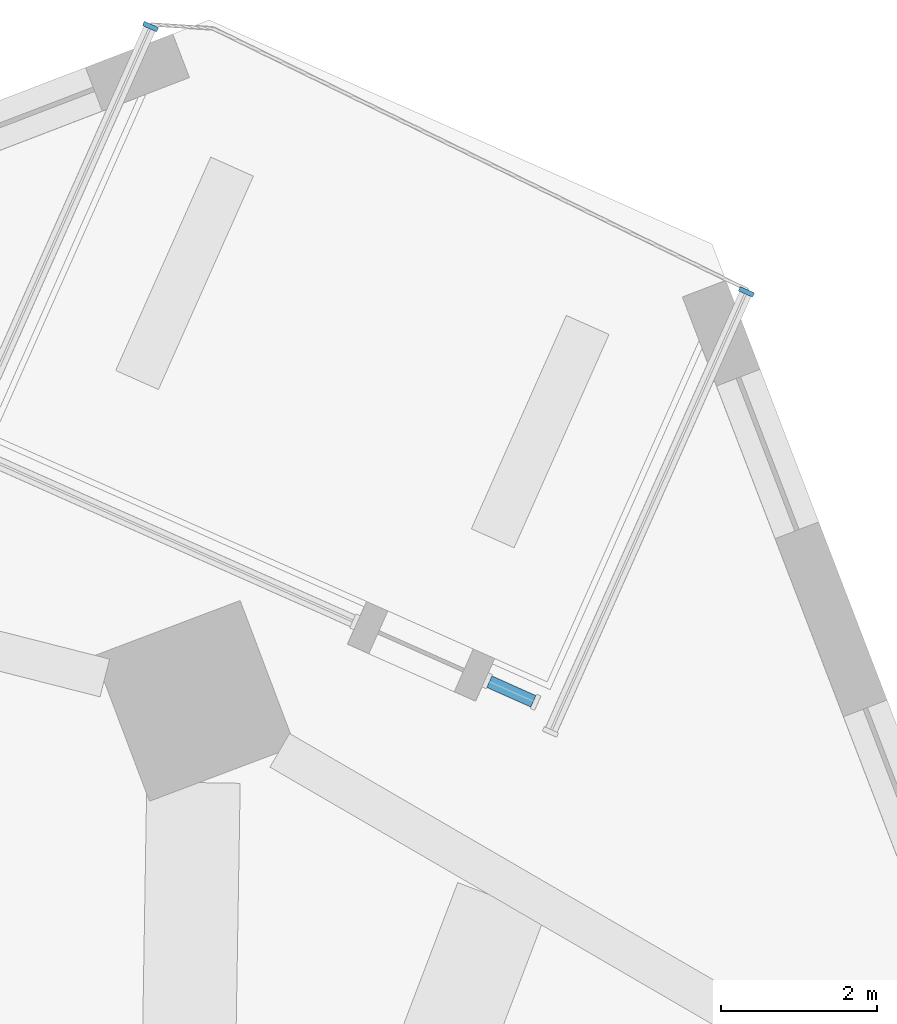
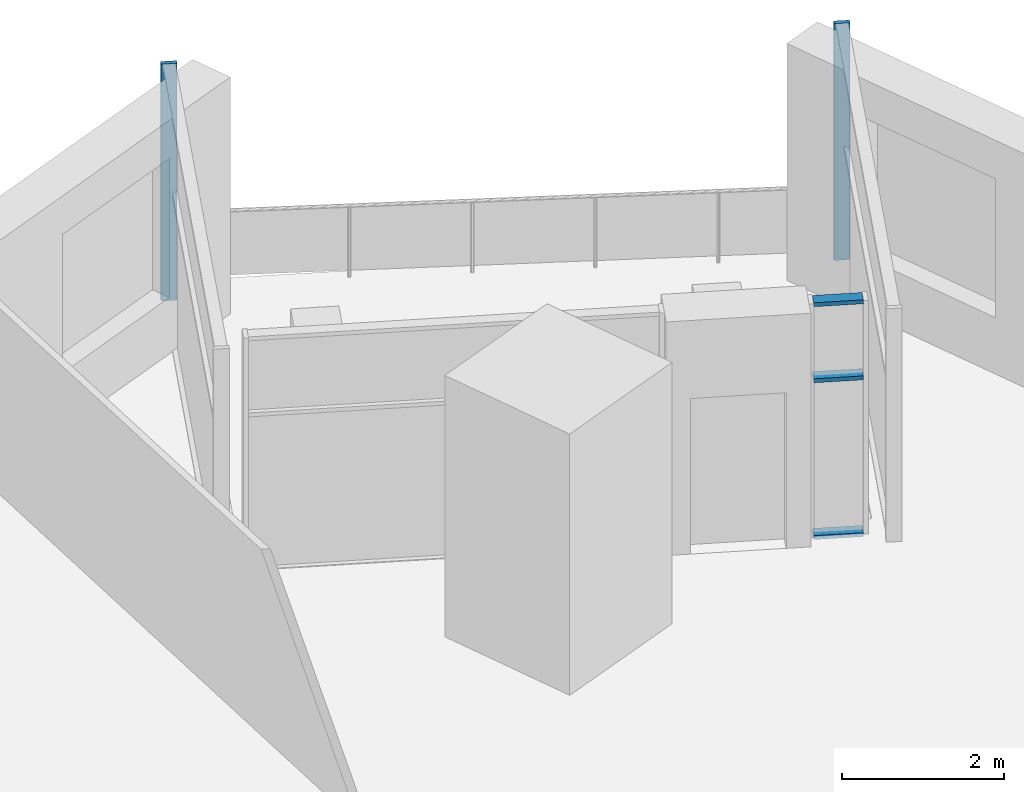
# One storey, part 4 of 14: 5 members, 3 elements without a shape of their own.
"""IFC4 building model written with IfcOpenShell, lengths in metres."""

from ifc_helpers import new_model, si_unit, direction, frame, origin, origin_2d, place, context, subcontext, project, spatial, rectangle, extrude, material, material_profile, profile_set, type_object, element, aggregate, save


model = new_model("IFC4")

# Units and contexts
model_context = context("Model", 3, precision=1e-05, world=origin(), true_north=direction((0.0, 1.0)))
body_context = subcontext(model_context, "Body", "Model", "MODEL_VIEW")
ifc_project = project(units=[si_unit("LENGTHUNIT", "METRE"), si_unit("AREAUNIT", "SQUARE_METRE"), si_unit("VOLUMEUNIT", "CUBIC_METRE"), si_unit("PLANEANGLEUNIT", "RADIAN"), si_unit("MASSUNIT", "GRAM", prefix="KILO")], contexts=[model_context])

# Site, building, storey
site_placement = place(None, origin())
site = spatial("IfcSite", under=ifc_project, at=site_placement, CompositionType="ELEMENT")
building_placement = place(site_placement, origin())
building = spatial("IfcBuilding", under=site, at=building_placement, Name="Dilmun Exchange Tower", CompositionType="ELEMENT")
storey_placement = place(building_placement, frame((0.0, 0.0, 102.10009765625)))
storey = spatial("IfcBuildingStorey", under=building, at=storey_placement, Name="L23", CompositionType="ELEMENT", Elevation=102.10009765625)

# Curtain wall, member
ifc_material_1 = material(Name="Anodised aluminium and clear glass", Category="aluminium")
curtain_wall_type = type_object("IfcCurtainWallType", Name="Garden corner glazing", PredefinedType="NOTDEFINED", material=ifc_material_1)
curtain_wall_1_placement = place(storey_placement, origin())
curtain_wall_1 = element("IfcCurtainWall", 1, at=curtain_wall_1_placement, inside=storey, type_object=curtain_wall_type, Name="Garden corner glazing run GC1.1", PredefinedType="NOTDEFINED")
ifc_material_2 = material(Name="Anodised aluminium", Category="aluminium")
ifc_material_profile_1 = material_profile(ifc_material_2, rectangle(XDim=0.199951171875, YDim=0.06005859375, at=origin_2d()), Name="AL 60x200")
ifc_profile_set_1 = profile_set([ifc_material_profile_1], Name="Anodised aluminium")
member_type_1 = type_object("IfcMemberType", Name="Garden corner glazing mullion 60 x 200", PredefinedType="MULLION", material=ifc_profile_set_1)
member_1_placement = place(storey_placement, frame((20.2060546875, 31.607177734375, 0.0), z_axis=(0.0, 0.0, 1.0), x_axis=(0.913542660018, -0.406742926585, 0.0)))
member_1 = element("IfcMember", 2, at=member_1_placement, type_object=member_type_1, Name="GC1.1 mullion 1", PredefinedType="MULLION", context=body_context, shape_type="SweptSolid", body=[
    extrude(rectangle(XDim=0.199951171875, YDim=0.06005859375, at=origin_2d()), origin(), (0.0, 0.0, 1.0), 3.579833984375),
])
aggregate(curtain_wall_1, [member_1])

curtain_wall_2_placement = place(storey_placement, origin())
curtain_wall_2 = element("IfcCurtainWall", 3, at=curtain_wall_2_placement, inside=storey, type_object=curtain_wall_type, Name="Garden corner glazing run GC3.1", PredefinedType="NOTDEFINED")
member_2_placement = place(storey_placement, frame((12.55224609375, 35.014892578125, 0.0), z_axis=(0.0, 0.0, 1.0), x_axis=(-0.913542660018, 0.406742926585, 0.0)))
member_2 = element("IfcMember", 4, at=member_2_placement, type_object=member_type_1, Name="GC3.1 mullion 2", PredefinedType="MULLION", context=body_context, shape_type="SweptSolid", body=[
    extrude(rectangle(XDim=0.199951171875, YDim=0.06005859375, at=origin_2d()), origin(), (0.0, 0.0, 1.0), 3.579833984375),
])
aggregate(curtain_wall_2, [member_2])

# Curtain wall, members
curtain_wall_3_placement = place(storey_placement, origin())
curtain_wall_3 = element("IfcCurtainWall", 5, at=curtain_wall_3_placement, inside=storey, type_object=curtain_wall_type, Name="Garden corner glazing run GC2.1", PredefinedType="NOTDEFINED")
ifc_material_profile_2 = material_profile(ifc_material_2, rectangle(XDim=0.159912109375, YDim=0.06005859375, at=origin_2d()), Name="AL 60x160")
ifc_profile_set_2 = profile_set([ifc_material_profile_2], Name="Anodised aluminium")
member_type_2 = type_object("IfcMemberType", Name="Garden corner glazing transom 60 x 160", PredefinedType="USERDEFINED", material=ifc_profile_set_2)
member_3_placement = place(storey_placement, frame((17.470703125, 26.3486328125, 0.02978515625), z_axis=(-0.913486097967, 0.406869940916, 0.0), x_axis=(-0.406869940916, -0.913486097967, 0.0)))
member_3 = element("IfcMember", 6, at=member_3_placement, type_object=member_type_2, Name="GC2.1 transom 1.1", ObjectType="TRANSOM", PredefinedType="USERDEFINED", context=body_context, shape_type="SweptSolid", body=[
    extrude(rectangle(XDim=0.159912109375, YDim=0.06005859375, at=origin_2d()), origin(), (0.0, 0.0, 1.0), 0.619140625),
])
member_4_placement = place(storey_placement, frame((17.470703125, 26.3486328125, 2.39990234375), z_axis=(-0.913486097967, 0.406869940916, 0.0), x_axis=(-0.406869940916, -0.913486097967, 0.0)))
member_4 = element("IfcMember", 7, at=member_4_placement, type_object=member_type_2, Name="GC2.1 transom 1.2", ObjectType="TRANSOM", PredefinedType="USERDEFINED", context=body_context, shape_type="SweptSolid", body=[
    extrude(rectangle(XDim=0.159912109375, YDim=0.06005859375, at=origin_2d()), origin(), (0.0, 0.0, 1.0), 0.619140625),
])
member_5_placement = place(storey_placement, frame((17.470703125, 26.3486328125, 3.5498046875), z_axis=(-0.913486097967, 0.406869940916, 0.0), x_axis=(-0.406869940916, -0.913486097967, 0.0)))
member_5 = element("IfcMember", 8, at=member_5_placement, type_object=member_type_2, Name="GC2.1 transom 1.3", ObjectType="TRANSOM", PredefinedType="USERDEFINED", context=body_context, shape_type="SweptSolid", body=[
    extrude(rectangle(XDim=0.159912109375, YDim=0.06005859375, at=origin_2d()), origin(), (0.0, 0.0, 1.0), 0.619140625),
])
aggregate(curtain_wall_3, [member_3, member_4, member_5])

save(model, "model.ifc")
